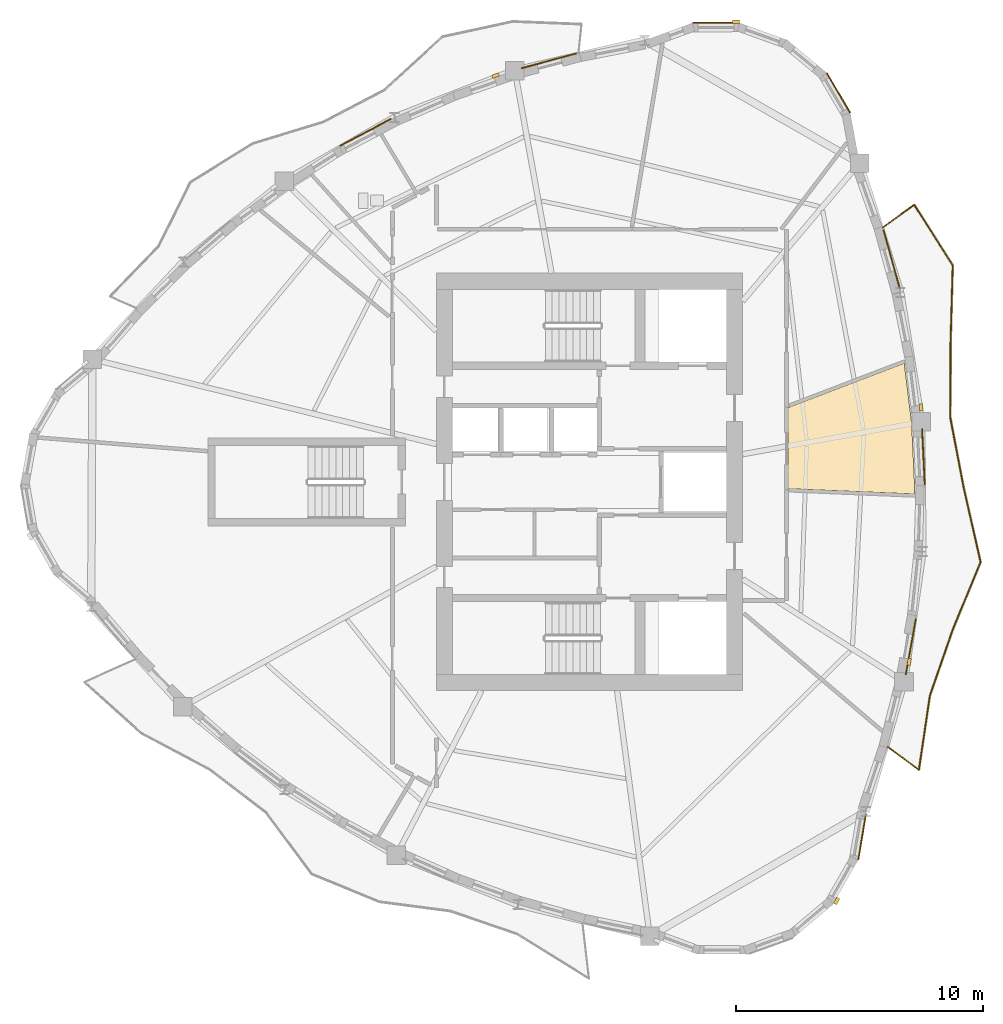
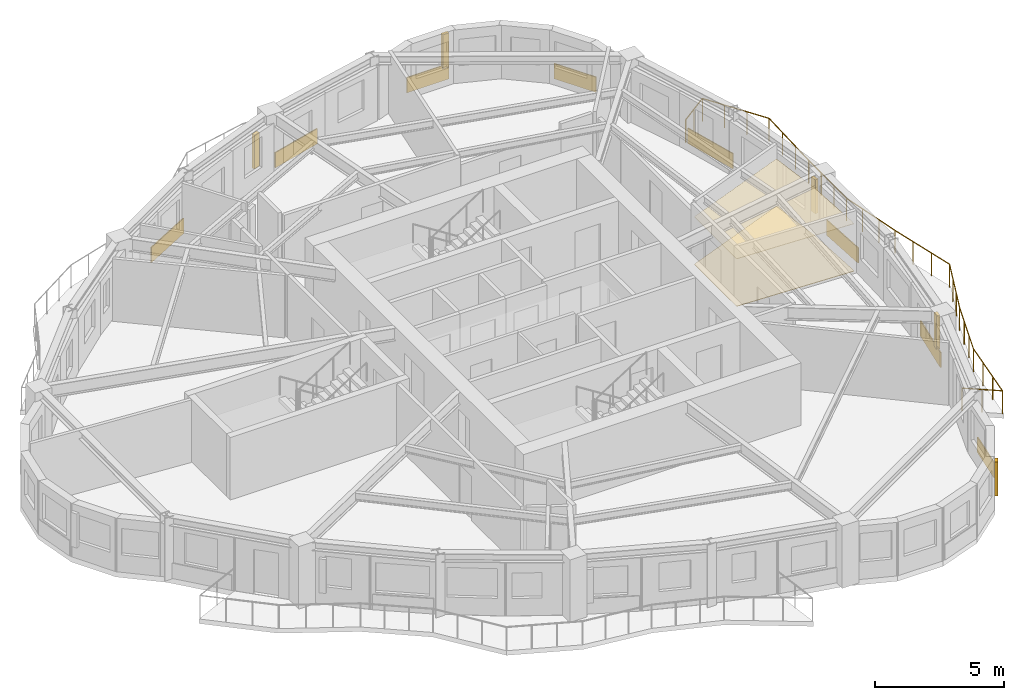
# One storey, part 10 of 11: 10 coverings, 5 shading devices, 1 railing.
"""IFC4 building model written with IfcOpenShell, lengths in metres."""

from ifc_helpers import new_model, si_unit, direction, frame, origin, origin_2d, place, context, subcontext, project, spatial, polyline, rectangle, circle, outline, extrude, source, transform, mapped, material, layer, layer_set, type_object, element, save


model = new_model("IFC4")

# Units and contexts
model_context = context("Model", 3, precision=1e-05, world=origin(), true_north=direction((0.0, 1.0)))
body_context = subcontext(model_context, "Body", "Model", "MODEL_VIEW")
ifc_project = project(units=[si_unit("LENGTHUNIT", "METRE"), si_unit("AREAUNIT", "SQUARE_METRE"), si_unit("VOLUMEUNIT", "CUBIC_METRE"), si_unit("PLANEANGLEUNIT", "RADIAN"), si_unit("MASSUNIT", "GRAM", prefix="KILO")], contexts=[model_context])

# Site, building, storey
site_placement = place(None, origin())
site = spatial("IfcSite", under=ifc_project, at=site_placement, CompositionType="ELEMENT")
building_placement = place(site_placement, origin())
building = spatial("IfcBuilding", under=site, at=building_placement, Name="Qafzar Sky-Pleat Residences", CompositionType="ELEMENT")
storey_placement = place(building_placement, frame((0.0, 0.0, 168.199951171875)))
storey = spatial("IfcBuildingStorey", under=building, at=storey_placement, Name="L50", CompositionType="ELEMENT", Elevation=168.199951171875)

# Coverings
ifc_material_1 = material(Name="Perforated acoustic gypsum board ceiling")
ifc_layer_1 = layer(ifc_material_1, 0.02001953125)
ifc_layer_set_1 = layer_set([ifc_layer_1], Name="Perforated acoustic gypsum board ceiling")
covering_type_1 = type_object("IfcCoveringType", Name="COV-CEIL-ACOUSTIC", PredefinedType="CEILING", material=ifc_layer_set_1)
covering_1_placement = place(storey_placement, frame((0.0, 0.0, 2.239990234375)))
element("IfcCovering", 1, at=covering_1_placement, inside=storey, type_object=covering_type_1, Name="L50 Co-Living Lounge Acoustic Ceiling", PredefinedType="CEILING", context=body_context, shape_type="SweptSolid", body=[
    extrude(outline(polyline([(43.39111328125, 28.3955078125), (43.514892578125, 25.800537109375), (43.506591796875, 25.512451171875), (38.389892578125, 25.7255859375), (38.389892578125, 29.00830078125), (43.092529296875, 30.805419921875), (43.39111328125, 28.3955078125)])), origin(), (0.0, 0.0, 1.0), 0.02001953125),
])
ifc_material_2 = material(Name="Honed porcelain and Riyadh stone tile flooring", Category="masonry")
ifc_layer_2 = layer(ifc_material_2, 0.02001953125)
ifc_layer_set_2 = layer_set([ifc_layer_2], Name="Honed porcelain and Riyadh stone tile flooring")
covering_type_2 = type_object("IfcCoveringType", Name="COV-FLR-PORCELAIN", PredefinedType="FLOORING", material=ifc_layer_set_2)
covering_2_placement = place(storey_placement, origin())
element("IfcCovering", 2, at=covering_2_placement, inside=storey, type_object=covering_type_2, Name="L50 Co-Living Lounge Honed Stone Flooring", PredefinedType="FLOORING", context=body_context, shape_type="SweptSolid", body=[
    extrude(outline(polyline([(43.39111328125, 28.3955078125), (43.514892578125, 25.800537109375), (43.506591796875, 25.512451171875), (38.389892578125, 25.7255859375), (38.389892578125, 29.00830078125), (43.092529296875, 30.805419921875), (43.39111328125, 28.3955078125)])), origin(), (0.0, 0.0, 1.0), 0.02001953125),
])

# Shading devices
ifc_material_3 = material(Name="Honed Riyadh limestone solar fin", Category="masonry")
ifc_layer_3 = layer(ifc_material_3, 0.139892578125)
ifc_layer_set_3 = layer_set([ifc_layer_3], Name="Honed Riyadh limestone solar fin")
shading_device_type = type_object("IfcShadingDeviceType", Name="SHD-FIN-STONE", PredefinedType="SHUTTER", material=ifc_layer_set_3)
shared_shape_1 = source(origin(), body_context, "Body", "SweptSolid", [
    extrude(rectangle(XDim=0.139892578125, YDim=0.280029296875, at=origin_2d()), origin(), (0.0, 0.0, 1.0), 1.60009765625),
])
for number, where, z_axis, x_axis, name in (
    (3, (40.3544921875, 9.034423828125, 0.60009765625), (0.0, 0.0, 1.0), (0.86842169793, -0.495826335086, 0.0), "L50 Limestone Solar Fin 21"),
    (4, (43.293212890625, 18.7177734375, 0.60009765625), (0.0, 0.0, 1.0), (0.9841868466, -0.177133427054, 0.0), "L50 Limestone Solar Fin 25"),
    (5, (43.771484375, 29.024658203125, 0.60009765625), (0.0, 0.0, 1.0), (0.992422165259, 0.122874919748, 0.0), "L50 Limestone Solar Fin 29"),
    (6, (36.27490234375, 44.630859375, 0.60009765625), (0.0, 0.0, 1.0), (-0.002393888715, 0.999997134644, 0.0), "L50 Limestone Solar Fin 37"),
    (7, (26.55126953125, 42.44970703125, 0.60009765625), (0.0, 0.0, 1.0), (-0.329555216315, 0.944136303401, 0.0), "L50 Limestone Solar Fin 41"),
):
    element("IfcShadingDevice", number, at=place(storey_placement, frame(where, z_axis=z_axis, x_axis=x_axis)), inside=storey, type_object=shading_device_type, Name=name, PredefinedType="SHUTTER", context=body_context, shape_type="MappedRepresentation", body=[
        mapped(shared_shape_1, transform((0.0, 0.0, 0.0), x_axis=(1.0, 0.0, 0.0), y_axis=(0.0, 1.0, 0.0), z_axis=(0.0, 0.0, 1.0), scale=1.0)),
    ])

# Coverings
ifc_material_4 = material(Name="Honed Riyadh Tuwaiq limestone cladding", Category="masonry")
ifc_layer_4 = layer(ifc_material_4, 0.044921875)
ifc_layer_set_4 = layer_set([ifc_layer_4], Name="Honed Riyadh Tuwaiq limestone cladding")
covering_type_3 = type_object("IfcCoveringType", Name="COV-CLAD-STONE", PredefinedType="CLADDING", material=ifc_layer_set_4)
shared_shape_2 = source(origin(), body_context, "Body", "SweptSolid", [
    extrude(rectangle(XDim=1.873046875, YDim=0.044921875, at=origin_2d()), origin(), (0.0, 0.0, 1.0), 0.719970703125),
])
covering_3_placement = place(storey_placement, frame((35.47021484375, 44.5859375, 0.02001953125), z_axis=(0.0, 0.0, 1.0), x_axis=(-0.999997113828, -0.002402568631, 0.0)))
element("IfcCovering", 8, at=covering_3_placement, inside=storey, type_object=covering_type_3, Name="L50 Riyadh Limestone Spandrel Cladding 37", PredefinedType="CLADDING", context=body_context, shape_type="MappedRepresentation", body=[
    mapped(shared_shape_2, transform((0.0, 0.0, 0.0), x_axis=(1.0, 0.0, 0.0), y_axis=(0.0, 1.0, 0.0), z_axis=(0.0, 0.0, 1.0), scale=1.0)),
])
shared_shape_3 = source(origin(), body_context, "Body", "SweptSolid", [
    extrude(rectangle(XDim=2.298828125, YDim=0.044921875, at=origin_2d()), origin(), (0.0, 0.0, 1.0), 0.719970703125),
])
covering_4_placement = place(storey_placement, frame((28.705078125, 43.04638671875, 0.02001953125), z_axis=(0.0, 0.0, 1.0), x_axis=(-0.965460603463, -0.260549080139, 0.0)))
element("IfcCovering", 9, at=covering_4_placement, inside=storey, type_object=covering_type_3, Name="L50 Riyadh Limestone Spandrel Cladding 40", PredefinedType="CLADDING", context=body_context, shape_type="MappedRepresentation", body=[
    mapped(shared_shape_3, transform((0.0, 0.0, 0.0), x_axis=(1.0, 0.0, 0.0), y_axis=(0.0, 1.0, 0.0), z_axis=(0.0, 0.0, 1.0), scale=1.0)),
])
shared_shape_4 = source(origin(), body_context, "Body", "SweptSolid", [
    extrude(rectangle(XDim=1.845703125, YDim=0.044921875, at=origin_2d()), origin(), (0.0, 0.0, 1.0), 0.719970703125),
])
covering_5_placement = place(storey_placement, frame((41.386474609375, 11.618408203125, 0.02001953125), z_axis=(0.0, 0.0, 1.0), x_axis=(0.165648245081, 0.98618490097, 0.0)))
element("IfcCovering", 10, at=covering_5_placement, inside=storey, type_object=covering_type_3, Name="L50 Riyadh Limestone Spandrel Cladding 22", PredefinedType="CLADDING", context=body_context, shape_type="MappedRepresentation", body=[
    mapped(shared_shape_4, transform((0.0, 0.0, 0.0), x_axis=(1.0, 0.0, 0.0), y_axis=(0.0, 1.0, 0.0), z_axis=(0.0, 0.0, 1.0), scale=1.0)),
])
shared_shape_5 = source(origin(), body_context, "Body", "SweptSolid", [
    extrude(rectangle(XDim=2.300048828125, YDim=0.044921875, at=origin_2d()), origin(), (0.0, 0.0, 1.0), 0.719970703125),
])
covering_6_placement = place(storey_placement, frame((43.35888671875, 19.32568359375, 0.02001953125), z_axis=(0.0, 0.0, 1.0), x_axis=(0.177146175774, 0.984184552007, 0.0)))
element("IfcCovering", 11, at=covering_6_placement, inside=storey, type_object=covering_type_3, Name="L50 Riyadh Limestone Spandrel Cladding 25", PredefinedType="CLADDING", context=body_context, shape_type="MappedRepresentation", body=[
    mapped(shared_shape_5, transform((0.0, 0.0, 0.0), x_axis=(1.0, 0.0, 0.0), y_axis=(0.0, 1.0, 0.0), z_axis=(0.0, 0.0, 1.0), scale=1.0)),
])
shared_shape_6 = source(origin(), body_context, "Body", "SweptSolid", [
    extrude(rectangle(XDim=2.259521484375, YDim=0.044921875, at=origin_2d()), origin(), (0.0, 0.0, 1.0), 0.719970703125),
])
covering_7_placement = place(storey_placement, frame((43.868896484375, 27.021240234375, 0.02001953125), z_axis=(0.0, 0.0, 1.0), x_axis=(-0.04763895546, 0.998864620418, 0.0)))
element("IfcCovering", 12, at=covering_7_placement, inside=storey, type_object=covering_type_3, Name="L50 Riyadh Limestone Spandrel Cladding 28", PredefinedType="CLADDING", context=body_context, shape_type="MappedRepresentation", body=[
    mapped(shared_shape_6, transform((0.0, 0.0, 0.0), x_axis=(1.0, 0.0, 0.0), y_axis=(0.0, 1.0, 0.0), z_axis=(0.0, 0.0, 1.0), scale=1.0)),
])
shared_shape_7 = source(origin(), body_context, "Body", "SweptSolid", [
    extrude(rectangle(XDim=2.46142578125, YDim=0.044921875, at=origin_2d()), origin(), (0.0, 0.0, 1.0), 0.719970703125),
])
covering_8_placement = place(storey_placement, frame((42.58251953125, 35.01513671875, 0.02001953125), z_axis=(0.0, 0.0, 1.0), x_axis=(-0.266414049308, 0.963858679647, 0.0)))
element("IfcCovering", 13, at=covering_8_placement, inside=storey, type_object=covering_type_3, Name="L50 Riyadh Limestone Spandrel Cladding 31", PredefinedType="CLADDING", context=body_context, shape_type="MappedRepresentation", body=[
    mapped(shared_shape_7, transform((0.0, 0.0, 0.0), x_axis=(1.0, 0.0, 0.0), y_axis=(0.0, 1.0, 0.0), z_axis=(0.0, 0.0, 1.0), scale=1.0)),
])
shared_shape_8 = source(origin(), body_context, "Body", "SweptSolid", [
    extrude(rectangle(XDim=1.872802734375, YDim=0.044921875, at=origin_2d()), origin(), (0.0, 0.0, 1.0), 0.719970703125),
])
covering_9_placement = place(storey_placement, frame((40.429443359375, 41.754638671875, 0.02001953125), z_axis=(0.0, 0.0, 1.0), x_axis=(-0.506253402347, 0.862384770629, 0.0)))
element("IfcCovering", 14, at=covering_9_placement, inside=storey, type_object=covering_type_3, Name="L50 Riyadh Limestone Spandrel Cladding 34", PredefinedType="CLADDING", context=body_context, shape_type="MappedRepresentation", body=[
    mapped(shared_shape_8, transform((0.0, 0.0, 0.0), x_axis=(1.0, 0.0, 0.0), y_axis=(0.0, 1.0, 0.0), z_axis=(0.0, 0.0, 1.0), scale=1.0)),
])
shared_shape_9 = source(origin(), body_context, "Body", "SweptSolid", [
    extrude(rectangle(XDim=2.341064453125, YDim=0.044921875, at=origin_2d()), origin(), (0.0, 0.0, 1.0), 0.719970703125),
])
covering_10_placement = place(storey_placement, frame((21.28662109375, 40.1533203125, 0.02001953125), z_axis=(0.0, 0.0, 1.0), x_axis=(-0.884401502597, -0.466726881811, 0.0)))
element("IfcCovering", 15, at=covering_10_placement, inside=storey, type_object=covering_type_3, Name="L50 Riyadh Limestone Spandrel Cladding 43", PredefinedType="CLADDING", context=body_context, shape_type="MappedRepresentation", body=[
    mapped(shared_shape_9, transform((0.0, 0.0, 0.0), x_axis=(1.0, 0.0, 0.0), y_axis=(0.0, 1.0, 0.0), z_axis=(0.0, 0.0, 1.0), scale=1.0)),
])

# Railing
ifc_material_5 = material(Name="Laminated glass and bronze steel balustrade", Category="steel")
railing_type = type_object("IfcRailingType", Name="RAIL-BAL-1100", PredefinedType="BALUSTRADE", material=ifc_material_5)
shared_shape_10 = source(origin(), body_context, "Body", "SweptSolid", [
    extrude(circle(Radius=0.02392578125, at=origin_2d()), frame((0.0, 0.0, 1.076171875), z_axis=(0.80253641992, -0.596603129981, 0.0), x_axis=(0.596603129981, 0.80253641992, 0.0)), (0.0, 0.0, 1.0), 1.577880859375),
    extrude(circle(Radius=0.02392578125, at=origin_2d()), frame((1.266357421875, -0.94140625, 1.076171875), z_axis=(0.146090518428, 0.989271226927, 0.0), x_axis=(-0.989271226927, 0.146090518428, 0.0)), (0.0, 0.0, 1.0), 3.051513671875),
    extrude(circle(Radius=0.02392578125, at=origin_2d()), frame((1.712158203125, 2.077392578125, 1.076171875), z_axis=(0.327752218327, 0.944763718282, 0.0), x_axis=(-0.944763718282, 0.327752218327, 0.0)), (0.0, 0.0, 1.0), 2.822509765625),
    extrude(circle(Radius=0.02392578125, at=origin_2d()), frame((2.63720703125, 4.743896484375, 1.076171875), z_axis=(0.380807932155, 0.924654161732, 0.0), x_axis=(-0.924654161732, 0.380807932155, 0.0)), (0.0, 0.0, 1.0), 2.95751953125),
    extrude(circle(Radius=0.02392578125, at=origin_2d()), frame((3.763427734375, 7.478515625, 1.076171875), z_axis=(-0.221899881671, 0.975069455226, 0.0), x_axis=(-0.975069455226, -0.221899881671, 0.0)), (0.0, 0.0, 1.0), 3.103759765625),
    extrude(circle(Radius=0.02392578125, at=origin_2d()), frame((3.07470703125, 10.5048828125, 1.076171875), z_axis=(-0.187342240834, 0.98229470364, 0.0), x_axis=(-0.98229470364, -0.187342240834, 0.0)), (0.0, 0.0, 1.0), 2.876220703125),
    extrude(circle(Radius=0.02392578125, at=origin_2d()), frame((2.535888671875, 13.330078125, 1.076171875), z_axis=(0.003576455543, 0.999993604462, 0.0), x_axis=(-0.999993604462, 0.003576455543, 0.0)), (0.0, 0.0, 1.0), 2.935302734375),
    extrude(circle(Radius=0.02392578125, at=origin_2d()), frame((2.54638671875, 16.265380859375, 1.076171875), z_axis=(0.027975394604, 0.999608612056, 0.0), x_axis=(-0.999608612056, 0.027975394604, 0.0)), (0.0, 0.0, 1.0), 3.22021484375),
    extrude(circle(Radius=0.02392578125, at=origin_2d()), frame((2.636474609375, 19.484375, 1.076171875), z_axis=(-0.536192049127, 0.844096017319, 0.0), x_axis=(-0.844096017319, -0.536192049127, 0.0)), (0.0, 0.0, 1.0), 2.9130859375),
    extrude(circle(Radius=0.02392578125, at=origin_2d()), frame((1.074462890625, 21.943359375, 1.076171875), z_axis=(-0.809805240955, -0.586698791307, 0.0), x_axis=(0.586698791307, -0.809805240955, 0.0)), (0.0, 0.0, 1.0), 1.577880859375),
    extrude(circle(Radius=0.02099609375, at=origin_2d()), origin(), (0.0, 0.0, 1.0), 1.052001953125),
    extrude(circle(Radius=0.02099609375, at=origin_2d()), frame((0.63330078125, -0.470703125, 0.0)), (0.0, 0.0, 1.0), 1.052001953125),
    extrude(circle(Radius=0.02099609375, at=origin_2d()), frame((1.266357421875, -0.94140625, 0.0)), (0.0, 0.0, 1.0), 1.052001953125),
    extrude(circle(Radius=0.02099609375, at=origin_2d()), frame((1.4150390625, 0.06494140625, 0.0)), (0.0, 0.0, 1.0), 1.052001953125),
    extrude(circle(Radius=0.02099609375, at=origin_2d()), frame((1.5634765625, 1.071044921875, 0.0)), (0.0, 0.0, 1.0), 1.052001953125),
    extrude(circle(Radius=0.02099609375, at=origin_2d()), frame((1.712158203125, 2.077392578125, 0.0)), (0.0, 0.0, 1.0), 1.052001953125),
    extrude(circle(Radius=0.02099609375, at=origin_2d()), frame((2.0205078125, 2.96630859375, 0.0)), (0.0, 0.0, 1.0), 1.052001953125),
    extrude(circle(Radius=0.02099609375, at=origin_2d()), frame((2.328857421875, 3.85498046875, 0.0)), (0.0, 0.0, 1.0), 1.052001953125),
    extrude(circle(Radius=0.02099609375, at=origin_2d()), frame((2.63720703125, 4.743896484375, 0.0)), (0.0, 0.0, 1.0), 1.052001953125),
    extrude(circle(Radius=0.02099609375, at=origin_2d()), frame((3.0126953125, 5.655517578125, 0.0)), (0.0, 0.0, 1.0), 1.052001953125),
    extrude(circle(Radius=0.02099609375, at=origin_2d()), frame((3.387939453125, 6.56689453125, 0.0)), (0.0, 0.0, 1.0), 1.052001953125),
    extrude(circle(Radius=0.02099609375, at=origin_2d()), frame((3.763427734375, 7.478515625, 0.0)), (0.0, 0.0, 1.0), 1.052001953125),
    extrude(circle(Radius=0.02099609375, at=origin_2d()), frame((3.533935546875, 8.4873046875, 0.0)), (0.0, 0.0, 1.0), 1.052001953125),
    extrude(circle(Radius=0.02099609375, at=origin_2d()), frame((3.30419921875, 9.49609375, 0.0)), (0.0, 0.0, 1.0), 1.052001953125),
    extrude(circle(Radius=0.02099609375, at=origin_2d()), frame((3.07470703125, 10.5048828125, 0.0)), (0.0, 0.0, 1.0), 1.052001953125),
    extrude(circle(Radius=0.02099609375, at=origin_2d()), frame((2.89501953125, 11.446533203125, 0.0)), (0.0, 0.0, 1.0), 1.052001953125),
    extrude(circle(Radius=0.02099609375, at=origin_2d()), frame((2.715576171875, 12.388427734375, 0.0)), (0.0, 0.0, 1.0), 1.052001953125),
    extrude(circle(Radius=0.02099609375, at=origin_2d()), frame((2.535888671875, 13.330078125, 0.0)), (0.0, 0.0, 1.0), 1.052001953125),
    extrude(circle(Radius=0.02099609375, at=origin_2d()), frame((2.539306640625, 14.30859375, 0.0)), (0.0, 0.0, 1.0), 1.052001953125),
    extrude(circle(Radius=0.02099609375, at=origin_2d()), frame((2.54296875, 15.286865234375, 0.0)), (0.0, 0.0, 1.0), 1.052001953125),
    extrude(circle(Radius=0.02099609375, at=origin_2d()), frame((2.54638671875, 16.265380859375, 0.0)), (0.0, 0.0, 1.0), 1.052001953125),
    extrude(circle(Radius=0.02099609375, at=origin_2d()), frame((2.576416015625, 17.33837890625, 0.0)), (0.0, 0.0, 1.0), 1.052001953125),
    extrude(circle(Radius=0.02099609375, at=origin_2d()), frame((2.6064453125, 18.411376953125, 0.0)), (0.0, 0.0, 1.0), 1.052001953125),
    extrude(circle(Radius=0.02099609375, at=origin_2d()), frame((2.636474609375, 19.484375, 0.0)), (0.0, 0.0, 1.0), 1.052001953125),
    extrude(circle(Radius=0.02099609375, at=origin_2d()), frame((2.11572265625, 20.303955078125, 0.0)), (0.0, 0.0, 1.0), 1.052001953125),
    extrude(circle(Radius=0.02099609375, at=origin_2d()), frame((1.59521484375, 21.123779296875, 0.0)), (0.0, 0.0, 1.0), 1.052001953125),
    extrude(circle(Radius=0.02099609375, at=origin_2d()), frame((1.074462890625, 21.943359375, 0.0)), (0.0, 0.0, 1.0), 1.052001953125),
    extrude(circle(Radius=0.02099609375, at=origin_2d()), frame((0.435546875, 21.48046875, 0.0)), (0.0, 0.0, 1.0), 1.052001953125),
    extrude(circle(Radius=0.02099609375, at=origin_2d()), frame((-0.203369140625, 21.017578125, 0.0)), (0.0, 0.0, 1.0), 1.052001953125),
])
railing_placement = place(storey_placement, frame((42.420166015625, 15.280029296875, 0.0)))
element("IfcRailing", 16, at=railing_placement, inside=storey, type_object=railing_type, Name="L50 Pleated Balcony 1 Balustrade", PredefinedType="BALUSTRADE", context=body_context, shape_type="MappedRepresentation", body=[
    mapped(shared_shape_10, transform((0.0, 0.0, 0.0), x_axis=(1.0, 0.0, 0.0), y_axis=(0.0, 1.0, 0.0), z_axis=(0.0, 0.0, 1.0), scale=1.0)),
])

save(model, "model.ifc")
